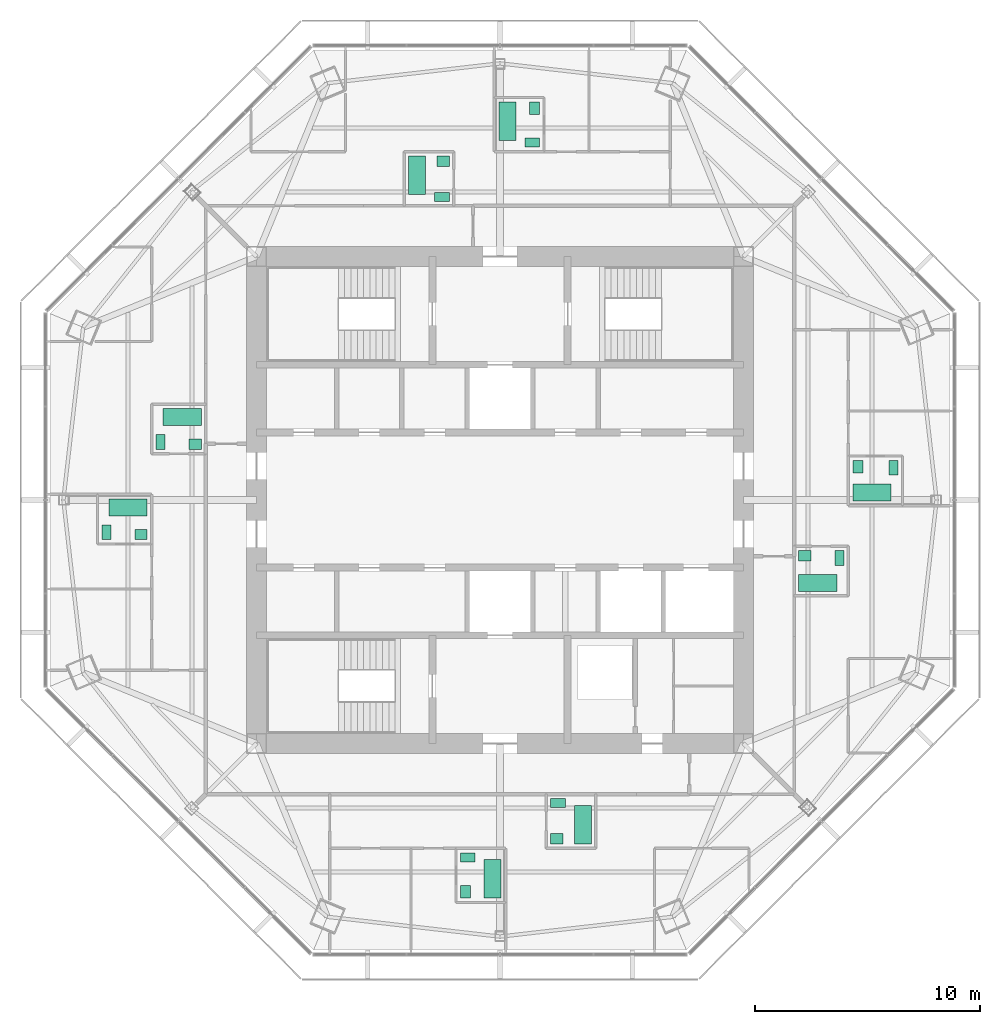
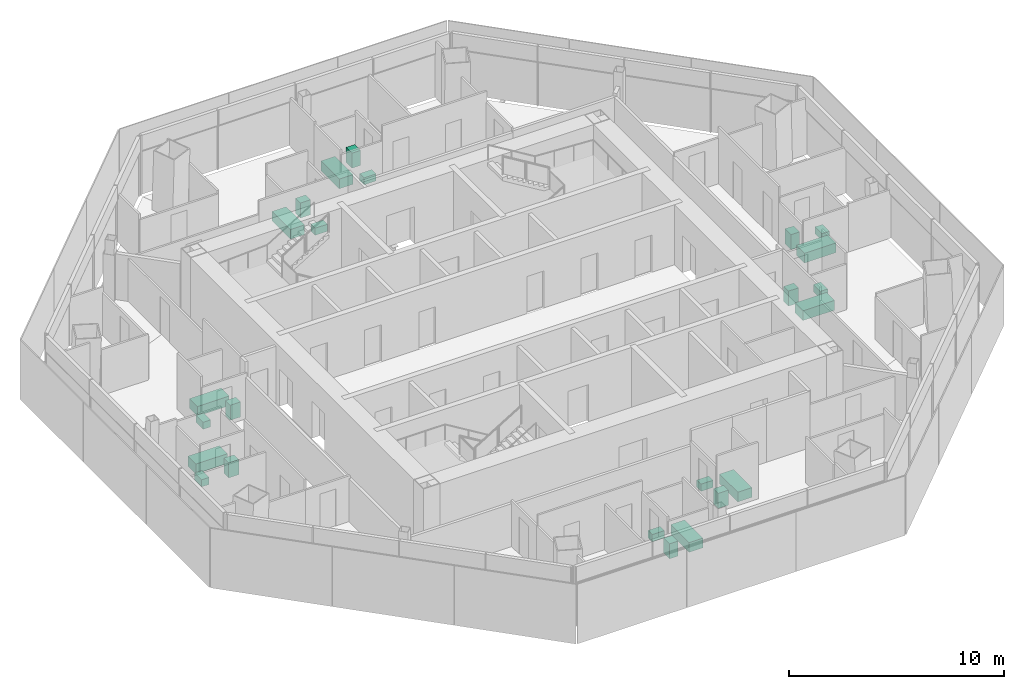
# One storey, part 15 of 15: 24 sanitary terminals.
"""IFC4 building model written with IfcOpenShell, lengths in metres."""

from ifc_helpers import new_model, si_unit, direction, frame, origin, origin_2d, place, context, subcontext, project, spatial, rectangle, extrude, material, type_object, element, save


model = new_model("IFC4")

# Units and contexts
model_context = context("Model", 3, precision=1e-05, world=origin(), true_north=direction((0.0, 1.0)))
body_context = subcontext(model_context, "Body", "Model", "MODEL_VIEW")
ifc_project = project(units=[si_unit("LENGTHUNIT", "METRE"), si_unit("AREAUNIT", "SQUARE_METRE"), si_unit("VOLUMEUNIT", "CUBIC_METRE"), si_unit("PLANEANGLEUNIT", "RADIAN"), si_unit("MASSUNIT", "GRAM", prefix="KILO")], contexts=[model_context])

# Site, building, storey
site_placement = place(None, origin())
site = spatial("IfcSite", under=ifc_project, at=site_placement, CompositionType="ELEMENT")
building_placement = place(site_placement, origin())
building = spatial("IfcBuilding", under=site, at=building_placement, Name="Mashrafa Tower", CompositionType="ELEMENT")
storey_placement = place(building_placement, frame((0.0, 0.0, 277.60009765625)))
storey = spatial("IfcBuildingStorey", under=building, at=storey_placement, Name="L67", CompositionType="ELEMENT", Elevation=277.60009765625)

# Sanitary terminals
ifc_material_1 = material(Name="Enamelled steel", Category="steel")
sanitary_terminal_type_1 = type_object("IfcSanitaryTerminalType", Name="Bath 1700 x 750", PredefinedType="BATH", material=ifc_material_1)
for number, where, z_axis, x_axis, name in (
    (1, (14.10009765625, -3.675048828125, 0.0), (0.0, 0.0, 1.0), (1.0, 0.0, 0.0), "Bath Apartment 6701 Bathroom"),
    (2, (16.5, 0.324951171875, 0.0), (0.0, 0.0, 1.0), (1.0, 0.0, 0.0), "Bath Apartment 6701 En-suite Bathroom"),
    (3, (-3.675048828125, 14.39990234375, 0.0), (0.0, 0.0, 1.0), (0.0, -1.0, 0.0), "Bath Apartment 6702 Bathroom"),
    (4, (0.324951171875, 16.800048828125, 0.0), (0.0, 0.0, 1.0), (0.0, -1.0, 0.0), "Bath Apartment 6702 En-suite Bathroom"),
    (5, (-14.10009765625, 3.675048828125, 0.0), (0.0, 0.0, 1.0), (-1.0, 0.0, 0.0), "Bath Apartment 6703 Bathroom"),
    (6, (-16.5, -0.324951171875, 0.0), (0.0, 0.0, 1.0), (-1.0, 0.0, 0.0), "Bath Apartment 6703 En-suite Bathroom"),
    (7, (3.675048828125, -14.39990234375, 0.0), (0.0, 0.0, 1.0), (0.0, 1.0, 0.0), "Bath Apartment 6704 Bathroom"),
    (8, (-0.324951171875, -16.800048828125, 0.0), (0.0, 0.0, 1.0), (0.0, 1.0, 0.0), "Bath Apartment 6704 En-suite Bathroom"),
):
    element("IfcSanitaryTerminal", number, at=place(storey_placement, frame(where, z_axis=z_axis, x_axis=x_axis)), inside=storey, type_object=sanitary_terminal_type_1, Name=name, PredefinedType="BATH", context=body_context, shape_type="SweptSolid", body=[
        extrude(rectangle(XDim=1.699951171875, YDim=0.75, at=origin_2d()), origin(), (0.0, 0.0, 1.0), 0.550048828125),
    ])
ifc_material_2 = material(Name="Vitreous china")
sanitary_terminal_type_2 = type_object("IfcSanitaryTerminalType", Name="Toilet pan 400 x 650", PredefinedType="TOILETPAN", material=ifc_material_2)
for number, where, z_axis, x_axis, name in (
    (9, (15.050048828125, -2.574951171875, 0.0), (0.0, 0.0, 1.0), (-1.0, 0.0, 0.0), "Toilet pan Apartment 6701 Bathroom"),
    (10, (17.449951171875, 1.425048828125, 0.0), (0.0, 0.0, 1.0), (-1.0, 0.0, 0.0), "Toilet pan Apartment 6701 En-suite Bathroom"),
    (11, (-2.574951171875, 13.449951171875, 0.0), (0.0, 0.0, 1.0), (0.0, 1.0, 0.0), "Toilet pan Apartment 6702 Bathroom"),
    (12, (1.425048828125, 15.85009765625, 0.0), (0.0, 0.0, 1.0), (0.0, 1.0, 0.0), "Toilet pan Apartment 6702 En-suite Bathroom"),
    (13, (-15.050048828125, 2.574951171875, 0.0), (0.0, 0.0, 1.0), (1.0, 0.0, 0.0), "Toilet pan Apartment 6703 Bathroom"),
    (14, (-17.449951171875, -1.425048828125, 0.0), (0.0, 0.0, 1.0), (1.0, 0.0, 0.0), "Toilet pan Apartment 6703 En-suite Bathroom"),
    (15, (2.574951171875, -13.449951171875, 0.0), (0.0, 0.0, 1.0), (0.0, -1.0, 0.0), "Toilet pan Apartment 6704 Bathroom"),
    (16, (-1.425048828125, -15.85009765625, 0.0), (0.0, 0.0, 1.0), (0.0, -1.0, 0.0), "Toilet pan Apartment 6704 En-suite Bathroom"),
):
    element("IfcSanitaryTerminal", number, at=place(storey_placement, frame(where, z_axis=z_axis, x_axis=x_axis)), inside=storey, type_object=sanitary_terminal_type_2, Name=name, PredefinedType="TOILETPAN", context=body_context, shape_type="SweptSolid", body=[
        extrude(rectangle(XDim=0.39990234375, YDim=0.64990234375, at=origin_2d()), origin(), (0.0, 0.0, 1.0), 0.39990234375),
    ])
ifc_material_3 = material(Name="Vitreous china")
sanitary_terminal_type_3 = type_object("IfcSanitaryTerminalType", Name="Wash basin 550 x 450", PredefinedType="WASHHANDBASIN", material=ifc_material_3)
for number, where, z_axis, x_axis, name in (
    (17, (13.52490234375, -2.47509765625, -0.000244140625), (0.0, 0.0, 1.0), (-1.0, 0.0, 0.0), "Wash basin Apartment 6701 Bathroom"),
    (18, (15.875, 1.47509765625, -0.000244140625), (0.0, 0.0, 1.0), (0.0, -1.0, 0.0), "Wash basin Apartment 6701 En-suite Bathroom"),
    (19, (-2.52490234375, 15.02490234375, -0.000244140625), (0.0, 0.0, 1.0), (-1.0, 0.0, 0.0), "Wash basin Apartment 6702 Bathroom"),
    (20, (1.52490234375, 17.375, -0.000244140625), (0.0, 0.0, 1.0), (0.0, 1.0, 0.0), "Wash basin Apartment 6702 En-suite Bathroom"),
    (21, (-13.52490234375, 2.47509765625, -0.000244140625), (0.0, 0.0, 1.0), (1.0, 0.0, 0.0), "Wash basin Apartment 6703 Bathroom"),
    (22, (-15.925048828125, -1.52490234375, -0.000244140625), (0.0, 0.0, 1.0), (1.0, 0.0, 0.0), "Wash basin Apartment 6703 En-suite Bathroom"),
    (23, (2.52490234375, -15.02490234375, -0.000244140625), (0.0, 0.0, 1.0), (1.0, 0.0, 0.0), "Wash basin Apartment 6704 Bathroom"),
    (24, (-1.52490234375, -17.375, -0.000244140625), (0.0, 0.0, 1.0), (0.0, -1.0, 0.0), "Wash basin Apartment 6704 En-suite Bathroom"),
):
    element("IfcSanitaryTerminal", number, at=place(storey_placement, frame(where, z_axis=z_axis, x_axis=x_axis)), inside=storey, type_object=sanitary_terminal_type_3, Name=name, PredefinedType="WASHHANDBASIN", context=body_context, shape_type="SweptSolid", body=[
        extrude(rectangle(XDim=0.550048828125, YDim=0.449951171875, at=origin_2d()), origin(), (0.0, 0.0, 1.0), 0.85009765625),
    ])

save(model, "model.ifc")
